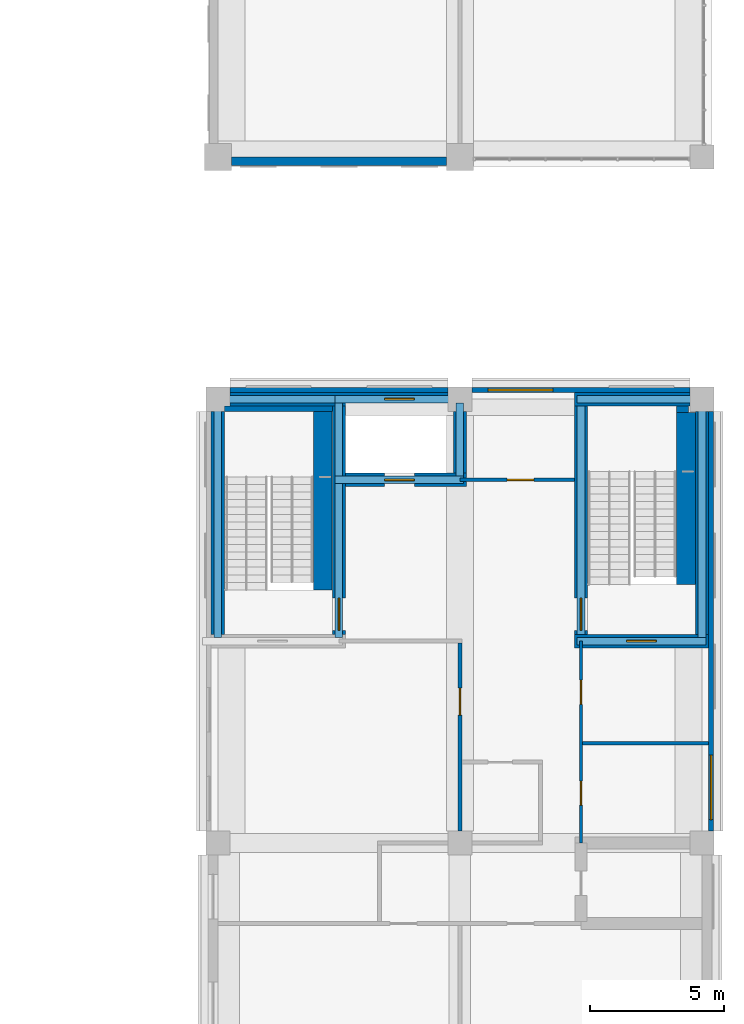
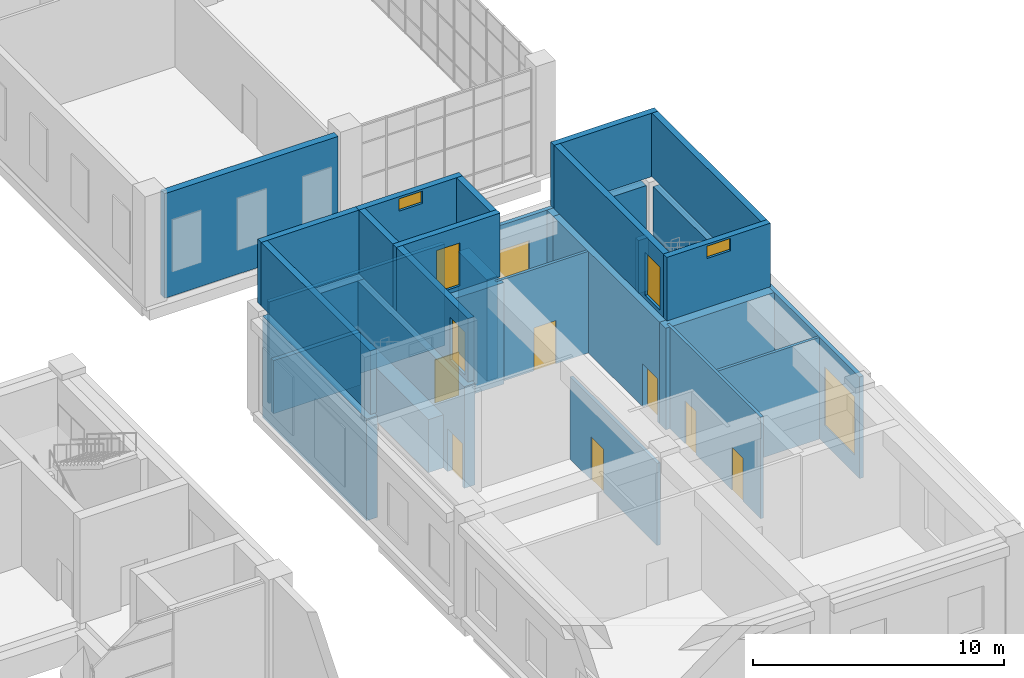
"""IFC4 building model written with IfcOpenShell, lengths in metres."""

from ifc_helpers import new_model, si_unit, direction, frame, frame_2d, origin, place, context, subcontext, project, spatial, rectangle, extrude, material, layer, layer_set, type_object, element, fill, save


model = new_model("IFC4")

# Units and contexts
model_context = context("Model", 3, precision=1e-05, world=origin(), true_north=direction((0.0, 1.0)))
body_context = subcontext(model_context, "Body", "Model", "MODEL_VIEW")
ifc_project = project(units=[si_unit("LENGTHUNIT", "METRE"), si_unit("AREAUNIT", "SQUARE_METRE"), si_unit("VOLUMEUNIT", "CUBIC_METRE"), si_unit("PLANEANGLEUNIT", "RADIAN"), si_unit("MASSUNIT", "GRAM", prefix="KILO")], contexts=[model_context])

# Site, building, storey
site_placement = place(None, origin())
site = spatial("IfcSite", under=ifc_project, at=site_placement, CompositionType="ELEMENT")
building_placement = place(site_placement, origin())
building = spatial("IfcBuilding", under=site, at=building_placement, Name="Aurelan Courthouse", CompositionType="ELEMENT")
storey_1_placement = place(building_placement, frame((0.0, 0.0, 6.60009765625)))
storey_1 = spatial("IfcBuildingStorey", under=building, at=storey_1_placement, Name="L01", CompositionType="ELEMENT", Elevation=6.60009765625)

# Wall, opening
ifc_material_1 = material(Name="Concrete C40", Category="concrete")
ifc_layer_1 = layer(ifc_material_1, 0.280029296875)
ifc_layer_set_1 = layer_set([ifc_layer_1], Name="Concrete C40")
wall_type_1 = type_object("IfcWallType", Name="Head house wall 280 x 3100", PredefinedType="SOLIDWALL", material=ifc_layer_set_1)
wall_1_placement = place(storey_1_placement, frame((76.360107421875, 25.5, 5.201904296875), z_axis=(0.0, 0.0, 1.0), x_axis=(1.0, 0.0, 0.0)))
wall_1 = element("IfcWall", 1, at=wall_1_placement, inside=storey_1, type_object=wall_type_1, Name="Head house wall HH-CORE-4-S", PredefinedType="SOLIDWALL", context=body_context, shape_type="SweptSolid", body=[
    extrude(rectangle(XDim=4.77978515625, YDim=0.280029296875, at=frame_2d((2.389892578125, 0.0))), origin(), (0.0, 0.0, 1.0), 3.10009765625),
])
opening_1_placement = place(wall_1_placement, frame((1.840087890625, 0.0, 0.197998046875)))
opening_1 = element("IfcOpeningElement", 2, at=opening_1_placement, cuts=wall_1, Name="Opening LD-V4-A1-L02", PredefinedType="OPENING", context=body_context, shape_type="SweptSolid", body=[
    extrude(rectangle(XDim=1.10009765625, YDim=2.10009765625, at=frame_2d((0.550048828125, 1.050048828125))), frame((0.0, 0.14990234375, 0.0), z_axis=(0.0, -1.0, 0.0), x_axis=(1.0, 0.0, 0.0)), (0.0, 0.0, 1.0), 0.300048828125),
])

# Storey
storey_2_placement = place(building_placement, frame((0.0, 0.0, 12.0)))
storey_2 = spatial("IfcBuildingStorey", under=building, at=storey_2_placement, Name="L02", CompositionType="ELEMENT", Elevation=12.0)

# Door
ifc_material_2 = material(Name="Steel", Category="steel")
door_type_1 = type_object("IfcDoorType", Name="Lift landing door 1100 x 2100 FD90", OperationType="SLIDING_TO_LEFT", PredefinedType="DOOR", material=ifc_material_2)
door_1_placement = place(opening_1_placement, origin())
door_1 = element("IfcDoor", 3, at=door_1_placement, inside=storey_2, type_object=door_type_1, Name="Lift landing door LD-V4-A1-L02", OperationType="SLIDING_TO_LEFT", OverallHeight=2.10009765625, OverallWidth=1.10009765625, PredefinedType="DOOR", context=body_context, shape_type="SweptSolid", body=[
    extrude(rectangle(XDim=1.10009765625, YDim=2.10009765625, at=frame_2d((0.550048828125, 1.050048828125))), frame((0.0, 0.02490234375, 0.0), z_axis=(0.0, -1.0, 0.0), x_axis=(1.0, 0.0, 0.0)), (0.0, 0.0, 1.0), 0.050048828125),
])

fill(opening_1, door_1)

# Wall, opening, window
wall_2_placement = place(storey_1_placement, frame((76.360107421875, 28.5, 5.201904296875), z_axis=(0.0, 0.0, 1.0), x_axis=(1.0, 0.0, 0.0)))
wall_2 = element("IfcWall", 4, at=wall_2_placement, inside=storey_1, type_object=wall_type_1, Name="Head house wall HH-CORE-4-N", PredefinedType="SOLIDWALL", context=body_context, shape_type="SweptSolid", body=[
    extrude(rectangle(XDim=4.77978515625, YDim=0.280029296875, at=frame_2d((2.389892578125, 0.0))), origin(), (0.0, 0.0, 1.0), 3.10009765625),
])
opening_2_placement = place(wall_2_placement, frame((1.840087890625, 0.0, 2.39990234375)))
opening_2 = element("IfcOpeningElement", 5, at=opening_2_placement, cuts=wall_2, Name="Opening HL-CORE-4", PredefinedType="OPENING", context=body_context, shape_type="SweptSolid", body=[
    extrude(rectangle(XDim=1.10009765625, YDim=0.60009765625, at=frame_2d((0.550048828125, 0.300048828125))), frame((0.0, 0.14990234375, 0.0), z_axis=(0.0, -1.0, 0.0), x_axis=(1.0, 0.0, 0.0)), (0.0, 0.0, 1.0), 0.300048828125),
])
ifc_material_3 = material(Name="Bronze-finished aluminium louvre", Category="aluminium")
window_type_1 = type_object("IfcWindowType", Name="Head house louvre 1100 x 600", PartitioningType="SINGLE_PANEL", PredefinedType="WINDOW", material=ifc_material_3)
window_1_placement = place(opening_2_placement, origin())
window_1 = element("IfcWindow", 6, at=window_1_placement, inside=storey_1, type_object=window_type_1, Name="Head house louvre HL-CORE-4", OverallHeight=0.60009765625, OverallWidth=1.10009765625, PartitioningType="SINGLE_PANEL", PredefinedType="WINDOW", context=body_context, shape_type="SweptSolid", body=[
    extrude(rectangle(XDim=1.10009765625, YDim=0.60009765625, at=frame_2d((0.550048828125, 0.300048828125))), frame((0.0, 0.030029296875, 0.0), z_axis=(0.0, -1.0, 0.0), x_axis=(1.0, 0.0, 0.0)), (0.0, 0.0, 1.0), 0.06005859375),
])
fill(opening_2, window_1)

# Walls
for number, where, z_axis, x_axis, name in (
    (7, (76.5, 25.639892578125, 5.201904296875), (0.0, 0.0, 1.0), (0.0, 1.0, 0.0), "Head house wall HH-CORE-4-W"),
    (8, (81.0, 25.639892578125, 5.201904296875), (0.0, 0.0, 1.0), (0.0, 1.0, 0.0), "Head house wall HH-CORE-4-E"),
):
    element("IfcWall", number, at=place(storey_1_placement, frame(where, z_axis=z_axis, x_axis=x_axis)), inside=storey_1, type_object=wall_type_1, Name=name, PredefinedType="SOLIDWALL", context=body_context, shape_type="SweptSolid", body=[
        extrude(rectangle(XDim=2.72021484375, YDim=0.280029296875, at=frame_2d((1.360107421875, 0.0))), origin(), (0.0, 0.0, 1.0), 3.10009765625),
    ])
wall_3_placement = place(storey_1_placement, frame((71.860107421875, 28.5, 5.201904296875), z_axis=(0.0, 0.0, 1.0), x_axis=(1.0, 0.0, 0.0)))
element("IfcWall", 9, at=wall_3_placement, inside=storey_1, type_object=wall_type_1, Name="Head house wall HH-ST-4A-N", PredefinedType="SOLIDWALL", context=body_context, shape_type="SweptSolid", body=[
    extrude(rectangle(XDim=4.5, YDim=0.280029296875, at=frame_2d((2.25, 0.0))), origin(), (0.0, 0.0, 1.0), 3.10009765625),
])
wall_4_placement = place(storey_1_placement, frame((72.0, 19.639892578125, 5.201904296875), z_axis=(0.0, 0.0, 1.0), x_axis=(0.0, 1.0, 0.0)))
element("IfcWall", 10, at=wall_4_placement, inside=storey_1, type_object=wall_type_1, Name="Head house wall HH-ST-4A-W", PredefinedType="SOLIDWALL", context=body_context, shape_type="SweptSolid", body=[
    extrude(rectangle(XDim=8.72021484375, YDim=0.280029296875, at=frame_2d((4.360107421875, 0.0))), origin(), (0.0, 0.0, 1.0), 3.10009765625),
])

# Wall, opening, door
wall_5_placement = place(storey_1_placement, frame((76.5, 19.639892578125, 5.201904296875), z_axis=(0.0, 0.0, 1.0), x_axis=(0.0, 1.0, 0.0)))
wall_5 = element("IfcWall", 11, at=wall_5_placement, inside=storey_1, type_object=wall_type_1, Name="Head house wall HH-ST-4A-E", PredefinedType="SOLIDWALL", context=body_context, shape_type="SweptSolid", body=[
    extrude(rectangle(XDim=5.72021484375, YDim=0.280029296875, at=frame_2d((2.860107421875, 0.0))), origin(), (0.0, 0.0, 1.0), 3.10009765625),
])
opening_3_placement = place(wall_5_placement, frame((0.260009765625, 0.0, 0.197998046875)))
opening_3 = element("IfcOpeningElement", 12, at=opening_3_placement, cuts=wall_5, Name="Opening D-L02-047", PredefinedType="OPENING", context=body_context, shape_type="SweptSolid", body=[
    extrude(rectangle(XDim=1.199951171875, YDim=2.10009765625, at=frame_2d((0.60009765625, 1.050048828125))), frame((0.0, 0.14990234375, 0.0), z_axis=(0.0, -1.0, 0.0), x_axis=(1.0, 0.0, 0.0)), (0.0, 0.0, 1.0), 0.300048828125),
])
door_type_2 = type_object("IfcDoorType", Name="Single door 1200 x 2100 FD90", OperationType="SINGLE_SWING_LEFT", PredefinedType="DOOR", material=ifc_material_2)
door_2_placement = place(opening_3_placement, origin())
door_2 = element("IfcDoor", 13, at=door_2_placement, inside=storey_2, type_object=door_type_2, Name="Single door D-L02-047", OperationType="SINGLE_SWING_LEFT", OverallHeight=2.10009765625, OverallWidth=1.199951171875, PredefinedType="DOOR", context=body_context, shape_type="SweptSolid", body=[
    extrude(rectangle(XDim=1.199951171875, YDim=2.10009765625, at=frame_2d((0.60009765625, 1.050048828125))), frame((0.0, 0.02490234375, 0.0), z_axis=(0.0, -1.0, 0.0), x_axis=(1.0, 0.0, 0.0)), (0.0, 0.0, 1.0), 0.050048828125),
])
fill(opening_3, door_2)

# Wall, opening, window
wall_6_placement = place(storey_1_placement, frame((85.360107421875, 19.5, 5.201904296875), z_axis=(0.0, 0.0, 1.0), x_axis=(1.0, 0.0, 0.0)))
wall_6 = element("IfcWall", 14, at=wall_6_placement, inside=storey_1, type_object=wall_type_1, Name="Head house wall HH-ST-4B-S", PredefinedType="SOLIDWALL", context=body_context, shape_type="SweptSolid", body=[
    extrude(rectangle(XDim=4.77978515625, YDim=0.280029296875, at=frame_2d((2.389892578125, 0.0))), origin(), (0.0, 0.0, 1.0), 3.10009765625),
])
opening_4_placement = place(wall_6_placement, frame((1.840087890625, 0.0, 2.39990234375)))
opening_4 = element("IfcOpeningElement", 15, at=opening_4_placement, cuts=wall_6, Name="Opening HL-ST-4B", PredefinedType="OPENING", context=body_context, shape_type="SweptSolid", body=[
    extrude(rectangle(XDim=1.10009765625, YDim=0.60009765625, at=frame_2d((0.550048828125, 0.300048828125))), frame((0.0, 0.14990234375, 0.0), z_axis=(0.0, -1.0, 0.0), x_axis=(1.0, 0.0, 0.0)), (0.0, 0.0, 1.0), 0.300048828125),
])
window_2_placement = place(opening_4_placement, origin())
window_2 = element("IfcWindow", 16, at=window_2_placement, inside=storey_1, type_object=window_type_1, Name="Head house louvre HL-ST-4B", OverallHeight=0.60009765625, OverallWidth=1.10009765625, PartitioningType="SINGLE_PANEL", PredefinedType="WINDOW", context=body_context, shape_type="SweptSolid", body=[
    extrude(rectangle(XDim=1.10009765625, YDim=0.60009765625, at=frame_2d((0.550048828125, 0.300048828125))), frame((0.0, 0.030029296875, 0.0), z_axis=(0.0, -1.0, 0.0), x_axis=(1.0, 0.0, 0.0)), (0.0, 0.0, 1.0), 0.06005859375),
])
fill(opening_4, window_2)

# Wall
wall_7_placement = place(storey_1_placement, frame((85.360107421875, 28.5, 5.201904296875), z_axis=(0.0, 0.0, 1.0), x_axis=(1.0, 0.0, 0.0)))
element("IfcWall", 17, at=wall_7_placement, inside=storey_1, type_object=wall_type_1, Name="Head house wall HH-ST-4B-N", PredefinedType="SOLIDWALL", context=body_context, shape_type="SweptSolid", body=[
    extrude(rectangle(XDim=4.77978515625, YDim=0.280029296875, at=frame_2d((2.389892578125, 0.0))), origin(), (0.0, 0.0, 1.0), 3.10009765625),
])

# Wall, opening, door
wall_8_placement = place(storey_1_placement, frame((85.5, 19.639892578125, 5.201904296875), z_axis=(0.0, 0.0, 1.0), x_axis=(0.0, 1.0, 0.0)))
wall_8 = element("IfcWall", 18, at=wall_8_placement, inside=storey_1, type_object=wall_type_1, Name="Head house wall HH-ST-4B-W", PredefinedType="SOLIDWALL", context=body_context, shape_type="SweptSolid", body=[
    extrude(rectangle(XDim=8.72021484375, YDim=0.280029296875, at=frame_2d((4.360107421875, 0.0))), origin(), (0.0, 0.0, 1.0), 3.10009765625),
])
opening_5_placement = place(wall_8_placement, frame((1.4599609375, 0.0, 0.197998046875), z_axis=(0.0, 0.0, 1.0), x_axis=(-1.0, 0.0, 0.0)))
opening_5 = element("IfcOpeningElement", 19, at=opening_5_placement, cuts=wall_8, Name="Opening D-L02-048", PredefinedType="OPENING", context=body_context, shape_type="SweptSolid", body=[
    extrude(rectangle(XDim=1.199951171875, YDim=2.10009765625, at=frame_2d((0.60009765625, 1.050048828125))), frame((0.0, 0.14990234375, 0.0), z_axis=(0.0, -1.0, 0.0), x_axis=(1.0, 0.0, 0.0)), (0.0, 0.0, 1.0), 0.300048828125),
])
door_3_placement = place(opening_5_placement, origin())
door_3 = element("IfcDoor", 20, at=door_3_placement, inside=storey_2, type_object=door_type_2, Name="Single door D-L02-048", OperationType="SINGLE_SWING_RIGHT", OverallHeight=2.10009765625, OverallWidth=1.199951171875, PredefinedType="DOOR", context=body_context, shape_type="SweptSolid", body=[
    extrude(rectangle(XDim=1.199951171875, YDim=2.10009765625, at=frame_2d((0.60009765625, 1.050048828125))), frame((0.0, 0.02490234375, 0.0), z_axis=(0.0, -1.0, 0.0), x_axis=(1.0, 0.0, 0.0)), (0.0, 0.0, 1.0), 0.050048828125),
])
fill(opening_5, door_3)

# Walls
wall_9_placement = place(storey_1_placement, frame((90.0, 19.639892578125, 5.201904296875), z_axis=(0.0, 0.0, 1.0), x_axis=(0.0, 1.0, 0.0)))
element("IfcWall", 21, at=wall_9_placement, inside=storey_1, type_object=wall_type_1, Name="Head house wall HH-ST-4B-E", PredefinedType="SOLIDWALL", context=body_context, shape_type="SweptSolid", body=[
    extrude(rectangle(XDim=8.72021484375, YDim=0.280029296875, at=frame_2d((4.360107421875, 0.0))), origin(), (0.0, 0.0, 1.0), 3.10009765625),
])
ifc_material_4 = material(Name="Granite cladding", Category="masonry")
ifc_layer_2 = layer(ifc_material_4, 0.090087890625, Name="Facing")
ifc_material_5 = material(Name="Ventilated cavity")
ifc_layer_3 = layer(ifc_material_5, 0.02490234375, ventilated=True, Name="Ventilated cavity")
ifc_material_6 = material(Name="Mineral wool insulation")
ifc_layer_4 = layer(ifc_material_6, 0.044921875, Name="Insulation")
ifc_material_7 = material(Name="Concrete C30", Category="concrete")
ifc_layer_5 = layer(ifc_material_7, 0.159912109375, Name="Structure")
ifc_layer_set_2 = layer_set([ifc_layer_2, ifc_layer_3, ifc_layer_4, ifc_layer_5], Name="Concrete C30")
wall_type_2 = type_object("IfcWallType", Name="Law Library granite-faced wall 320", PredefinedType="SOLIDWALL", material=ifc_layer_set_2)
wall_10_placement = place(storey_1_placement, frame((72.5, 37.340087890625, 0.0), z_axis=(0.0, 0.0, 1.0), x_axis=(1.0, 0.0, 0.0)))
element("IfcWall", 22, at=wall_10_placement, inside=storey_1, type_object=wall_type_2, Name="Facade wall FW-V3-L01-001", PredefinedType="SOLIDWALL", context=body_context, shape_type="SweptSolid", body=[
    extrude(rectangle(XDim=8.0, YDim=0.320068359375, at=frame_2d((4.0, 0.0))), origin(), (0.0, 0.0, 1.0), 5.099853515625),
])

# Wall, opening, door
ifc_material_8 = material(Name="Gypsum board on metal studs")
ifc_layer_6 = layer(ifc_material_8, 0.14990234375)
ifc_layer_set_3 = layer_set([ifc_layer_6], Name="Gypsum board on metal studs")
wall_type_3 = type_object("IfcWallType", Name="Partition 150 NOT RATED", PredefinedType="PARTITIONING", material=ifc_layer_set_3)
wall_11_placement = place(storey_1_placement, frame((81.0, 12.449951171875, 0.0), z_axis=(0.0, 0.0, 1.0), x_axis=(0.0, 1.0, 0.0)))
wall_11 = element("IfcWall", 23, at=wall_11_placement, inside=storey_1, type_object=wall_type_3, Name="Partition L01-104", PredefinedType="PARTITIONING", context=body_context, shape_type="SweptSolid", body=[
    extrude(rectangle(XDim=6.97509765625, YDim=0.14990234375, at=frame_2d((3.487548828125, 0.0))), origin(), (0.0, 0.0, 1.0), 4.001953125),
])
opening_6_placement = place(wall_11_placement, frame((5.300048828125, 0.0, 0.0), z_axis=(0.0, 0.0, 1.0), x_axis=(-1.0, 0.0, 0.0)))
opening_6 = element("IfcOpeningElement", 24, at=opening_6_placement, cuts=wall_11, Name="Opening D-L01-056", PredefinedType="OPENING", context=body_context, shape_type="SweptSolid", body=[
    extrude(rectangle(XDim=1.0, YDim=2.10009765625, at=frame_2d((0.5, 1.050048828125))), frame((0.0, 0.0849609375, 0.0), z_axis=(0.0, -1.0, 0.0), x_axis=(1.0, 0.0, 0.0)), (0.0, 0.0, 1.0), 0.169921875),
])
ifc_material_9 = material(Name="Timber", Category="wood")
door_type_3 = type_object("IfcDoorType", Name="Single door 1000 x 2100 NOT RATED", OperationType="SINGLE_SWING_LEFT", PredefinedType="DOOR", material=ifc_material_9)
door_4_placement = place(opening_6_placement, origin())
door_4 = element("IfcDoor", 25, at=door_4_placement, inside=storey_1, type_object=door_type_3, Name="Single door D-L01-056", OperationType="SINGLE_SWING_RIGHT", OverallHeight=2.10009765625, OverallWidth=1.0, PredefinedType="DOOR", context=body_context, shape_type="SweptSolid", body=[
    extrude(rectangle(XDim=1.0, YDim=2.10009765625, at=frame_2d((0.5, 1.050048828125))), frame((0.0, 0.02490234375, 0.0), z_axis=(0.0, -1.0, 0.0), x_axis=(1.0, 0.0, 0.0)), (0.0, 0.0, 1.0), 0.050048828125),
])
fill(opening_6, door_4)

# Wall
ifc_material_10 = material(Name="Limestone cladding", Category="masonry")
ifc_layer_7 = layer(ifc_material_10, 0.050048828125, Name="Facing")
ifc_layer_8 = layer(ifc_material_5, 0.02490234375, ventilated=True, Name="Ventilated cavity")
ifc_layer_9 = layer(ifc_material_6, 0.02490234375, Name="Insulation")
ifc_layer_10 = layer(ifc_material_7, 0.080078125, Name="Structure")
ifc_layer_set_4 = layer_set([ifc_layer_7, ifc_layer_8, ifc_layer_9, ifc_layer_10], Name="Concrete C30")
wall_type_4 = type_object("IfcWallType", Name="Public Hall and Registry stone-faced wall 180", PredefinedType="SOLIDWALL", material=ifc_layer_set_4)
wall_12_placement = place(storey_1_placement, frame((72.449951171875, 28.840087890625, 0.0), z_axis=(0.0, 0.0, 1.0), x_axis=(1.0, 0.0, 0.0)))
element("IfcWall", 26, at=wall_12_placement, inside=storey_1, type_object=wall_type_4, Name="Facade wall FW-V4-L01-003", PredefinedType="SOLIDWALL", context=body_context, shape_type="SweptSolid", body=[
    extrude(rectangle(XDim=8.10009765625, YDim=0.179931640625, at=frame_2d((4.050048828125, 0.0))), origin(), (0.0, 0.0, 1.0), 4.951904296875),
])

# Wall, opening, window
wall_13_placement = place(storey_1_placement, frame((81.449951171875, 28.840087890625, 0.0), z_axis=(0.0, 0.0, 1.0), x_axis=(1.0, 0.0, 0.0)))
wall_13 = element("IfcWall", 27, at=wall_13_placement, inside=storey_1, type_object=wall_type_4, Name="Facade wall FW-V4-L01-004", PredefinedType="SOLIDWALL", context=body_context, shape_type="SweptSolid", body=[
    extrude(rectangle(XDim=8.10009765625, YDim=0.179931640625, at=frame_2d((4.050048828125, 0.0))), origin(), (0.0, 0.0, 1.0), 4.951904296875),
])
opening_7_placement = place(wall_13_placement, frame((0.60009765625, 0.0, 0.89990234375)))
opening_7 = element("IfcOpeningElement", 28, at=opening_7_placement, cuts=wall_13, Name="Opening WN-V4-L01-005", PredefinedType="OPENING", context=body_context, shape_type="SweptSolid", body=[
    extrude(rectangle(XDim=2.39990234375, YDim=2.85009765625, at=frame_2d((1.199951171875, 1.425048828125))), frame((0.0, 0.099853515625, 0.0), z_axis=(0.0, -1.0, 0.0), x_axis=(1.0, 0.0, 0.0)), (0.0, 0.0, 1.0), 0.199951171875),
])
ifc_material_11 = material(Name="Bronze-finished aluminium and glass", Category="aluminium")
window_type_2 = type_object("IfcWindowType", Name="Public Hall and Registry window 2400 x 2850, sill 900", PartitioningType="SINGLE_PANEL", PredefinedType="WINDOW", material=ifc_material_11)
window_3_placement = place(opening_7_placement, origin())
window_3 = element("IfcWindow", 29, at=window_3_placement, inside=storey_1, type_object=window_type_2, Name="Window WN-V4-L01-005", OverallHeight=2.85009765625, OverallWidth=2.39990234375, PartitioningType="SINGLE_PANEL", PredefinedType="WINDOW", context=body_context, shape_type="SweptSolid", body=[
    extrude(rectangle(XDim=2.39990234375, YDim=2.85009765625, at=frame_2d((1.199951171875, 1.425048828125))), frame((0.0, 0.030029296875, 0.0), z_axis=(0.0, -1.0, 0.0), x_axis=(1.0, 0.0, 0.0)), (0.0, 0.0, 1.0), 0.06005859375),
])
fill(opening_7, window_3)

wall_14_placement = place(storey_1_placement, frame((90.340087890625, 12.449951171875, 0.0), z_axis=(0.0, 0.0, 1.0), x_axis=(0.0, 1.0, 0.0)))
wall_14 = element("IfcWall", 30, at=wall_14_placement, inside=storey_1, type_object=wall_type_4, Name="Facade wall FW-V4-L01-006", PredefinedType="SOLIDWALL", context=body_context, shape_type="SweptSolid", body=[
    extrude(rectangle(XDim=15.60009765625, YDim=0.179931640625, at=frame_2d((7.800048828125, 0.0))), origin(), (0.0, 0.0, 1.0), 4.951904296875),
])
opening_8_placement = place(wall_14_placement, frame((0.41259765625, 0.0, 0.89990234375)))
opening_8 = element("IfcOpeningElement", 31, at=opening_8_placement, cuts=wall_14, Name="Opening WN-V4-L01-008", PredefinedType="OPENING", context=body_context, shape_type="SweptSolid", body=[
    extrude(rectangle(XDim=2.39990234375, YDim=2.85009765625, at=frame_2d((1.199951171875, 1.425048828125))), frame((0.0, 0.099853515625, 0.0), z_axis=(0.0, -1.0, 0.0), x_axis=(1.0, 0.0, 0.0)), (0.0, 0.0, 1.0), 0.199951171875),
])
window_4_placement = place(opening_8_placement, origin())
window_4 = element("IfcWindow", 32, at=window_4_placement, inside=storey_1, type_object=window_type_2, Name="Window WN-V4-L01-008", OverallHeight=2.85009765625, OverallWidth=2.39990234375, PartitioningType="SINGLE_PANEL", PredefinedType="WINDOW", context=body_context, shape_type="SweptSolid", body=[
    extrude(rectangle(XDim=2.39990234375, YDim=2.85009765625, at=frame_2d((1.199951171875, 1.425048828125))), frame((0.0, 0.030029296875, 0.0), z_axis=(0.0, -1.0, 0.0), x_axis=(1.0, 0.0, 0.0)), (0.0, 0.0, 1.0), 0.06005859375),
])
fill(opening_8, window_4)

# Walls
ifc_material_12 = material(Name="Concrete C50", Category="concrete")
ifc_layer_11 = layer(ifc_material_12, 0.5)
ifc_layer_set_5 = layer_set([ifc_layer_11], Name="Concrete C50")
wall_type_5 = type_object("IfcWallType", Name="RC shear wall 500", PredefinedType="SHEAR", material=ifc_layer_set_5)
wall_15_placement = place(storey_1_placement, frame((85.25, 19.5, 0.0), z_axis=(0.0, 0.0, 1.0), x_axis=(1.0, 0.0, 0.0)))
element("IfcWall", 33, at=wall_15_placement, inside=storey_1, type_object=wall_type_5, Name="Core wall SW-L01-010", PredefinedType="SHEAR", context=body_context, shape_type="SweptSolid", body=[
    extrude(rectangle(XDim=5.0, YDim=0.5, at=frame_2d((2.5, 0.0))), origin(), (0.0, 0.0, 1.0), 4.951904296875),
])
wall_16_placement = place(storey_1_placement, frame((72.0, 19.75, 0.0), z_axis=(0.0, 0.0, 1.0), x_axis=(0.0, 1.0, 0.0)))
element("IfcWall", 34, at=wall_16_placement, inside=storey_1, type_object=wall_type_5, Name="Core wall SW-L01-021", PredefinedType="SHEAR", context=body_context, shape_type="SweptSolid", body=[
    extrude(rectangle(XDim=8.300048828125, YDim=0.5, at=frame_2d((4.14990234375, 0.0))), origin(), (0.0, 0.0, 1.0), 4.951904296875),
])

# Wall, opening, door
wall_17_placement = place(storey_1_placement, frame((76.5, 19.75, 0.0), z_axis=(0.0, 0.0, 1.0), x_axis=(0.0, 1.0, 0.0)))
wall_17 = element("IfcWall", 35, at=wall_17_placement, inside=storey_1, type_object=wall_type_5, Name="Core wall SW-L01-022", PredefinedType="SHEAR", context=body_context, shape_type="SweptSolid", body=[
    extrude(rectangle(XDim=8.5, YDim=0.5, at=frame_2d((4.25, 0.0))), origin(), (0.0, 0.0, 1.0), 4.951904296875),
])
opening_9_placement = place(wall_17_placement, frame((0.14990234375, 0.0, 0.0)))
opening_9 = element("IfcOpeningElement", 36, at=opening_9_placement, cuts=wall_17, Name="Opening D-L01-062", PredefinedType="OPENING", context=body_context, shape_type="SweptSolid", body=[
    extrude(rectangle(XDim=1.199951171875, YDim=2.10009765625, at=frame_2d((0.60009765625, 1.050048828125))), frame((0.0, 0.260009765625, 0.0), z_axis=(0.0, -1.0, 0.0), x_axis=(1.0, 0.0, 0.0)), (0.0, 0.0, 1.0), 0.52001953125),
])
door_5_placement = place(opening_9_placement, origin())
door_5 = element("IfcDoor", 37, at=door_5_placement, inside=storey_1, type_object=door_type_2, Name="Single door D-L01-062", OperationType="SINGLE_SWING_LEFT", OverallHeight=2.10009765625, OverallWidth=1.199951171875, PredefinedType="DOOR", context=body_context, shape_type="SweptSolid", body=[
    extrude(rectangle(XDim=1.199951171875, YDim=2.10009765625, at=frame_2d((0.60009765625, 1.050048828125))), frame((0.0, 0.02490234375, 0.0), z_axis=(0.0, -1.0, 0.0), x_axis=(1.0, 0.0, 0.0)), (0.0, 0.0, 1.0), 0.050048828125),
])
fill(opening_9, door_5)

wall_18_placement = place(storey_1_placement, frame((85.5, 19.75, 0.0), z_axis=(0.0, 0.0, 1.0), x_axis=(0.0, 1.0, 0.0)))
wall_18 = element("IfcWall", 38, at=wall_18_placement, inside=storey_1, type_object=wall_type_5, Name="Core wall SW-L01-023", PredefinedType="SHEAR", context=body_context, shape_type="SweptSolid", body=[
    extrude(rectangle(XDim=8.5, YDim=0.5, at=frame_2d((4.25, 0.0))), origin(), (0.0, 0.0, 1.0), 4.951904296875),
])
opening_10_placement = place(wall_18_placement, frame((1.349853515625, 0.0, 0.0), z_axis=(0.0, 0.0, 1.0), x_axis=(-1.0, 0.0, 0.0)))
opening_10 = element("IfcOpeningElement", 39, at=opening_10_placement, cuts=wall_18, Name="Opening D-L01-063", PredefinedType="OPENING", context=body_context, shape_type="SweptSolid", body=[
    extrude(rectangle(XDim=1.199951171875, YDim=2.10009765625, at=frame_2d((0.60009765625, 1.050048828125))), frame((0.0, 0.260009765625, 0.0), z_axis=(0.0, -1.0, 0.0), x_axis=(1.0, 0.0, 0.0)), (0.0, 0.0, 1.0), 0.52001953125),
])
door_6_placement = place(opening_10_placement, origin())
door_6 = element("IfcDoor", 40, at=door_6_placement, inside=storey_1, type_object=door_type_2, Name="Single door D-L01-063", OperationType="SINGLE_SWING_RIGHT", OverallHeight=2.10009765625, OverallWidth=1.199951171875, PredefinedType="DOOR", context=body_context, shape_type="SweptSolid", body=[
    extrude(rectangle(XDim=1.199951171875, YDim=2.10009765625, at=frame_2d((0.60009765625, 1.050048828125))), frame((0.0, 0.02490234375, 0.0), z_axis=(0.0, -1.0, 0.0), x_axis=(1.0, 0.0, 0.0)), (0.0, 0.0, 1.0), 0.050048828125),
])
fill(opening_10, door_6)

# Wall
wall_19_placement = place(storey_1_placement, frame((90.0, 19.75, 0.0), z_axis=(0.0, 0.0, 1.0), x_axis=(0.0, 1.0, 0.0)))
element("IfcWall", 41, at=wall_19_placement, inside=storey_1, type_object=wall_type_5, Name="Core wall SW-L01-024", PredefinedType="SHEAR", context=body_context, shape_type="SweptSolid", body=[
    extrude(rectangle(XDim=8.300048828125, YDim=0.5, at=frame_2d((4.14990234375, 0.0))), origin(), (0.0, 0.0, 1.0), 4.951904296875),
])

# Wall, opening, door
wall_20_placement = place(storey_1_placement, frame((76.75, 25.5, 0.0), z_axis=(0.0, 0.0, 1.0), x_axis=(1.0, 0.0, 0.0)))
wall_20 = element("IfcWall", 42, at=wall_20_placement, inside=storey_1, type_object=wall_type_5, Name="Core wall SW-L01-029", PredefinedType="SHEAR", context=body_context, shape_type="SweptSolid", body=[
    extrude(rectangle(XDim=4.5, YDim=0.5, at=frame_2d((2.25, 0.0))), origin(), (0.0, 0.0, 1.0), 4.951904296875),
])
opening_11_placement = place(wall_20_placement, frame((1.449951171875, 0.0, 0.0)))
opening_11 = element("IfcOpeningElement", 43, at=opening_11_placement, cuts=wall_20, Name="Opening LD-V4-A1-L01", PredefinedType="OPENING", context=body_context, shape_type="SweptSolid", body=[
    extrude(rectangle(XDim=1.10009765625, YDim=2.10009765625, at=frame_2d((0.550048828125, 1.050048828125))), frame((0.0, 0.260009765625, 0.0), z_axis=(0.0, -1.0, 0.0), x_axis=(1.0, 0.0, 0.0)), (0.0, 0.0, 1.0), 0.52001953125),
])
door_7_placement = place(opening_11_placement, origin())
door_7 = element("IfcDoor", 44, at=door_7_placement, inside=storey_1, type_object=door_type_1, Name="Lift landing door LD-V4-A1-L01", OperationType="SLIDING_TO_LEFT", OverallHeight=2.10009765625, OverallWidth=1.10009765625, PredefinedType="DOOR", context=body_context, shape_type="SweptSolid", body=[
    extrude(rectangle(XDim=1.10009765625, YDim=2.10009765625, at=frame_2d((0.550048828125, 1.050048828125))), frame((0.0, 0.02490234375, 0.0), z_axis=(0.0, -1.0, 0.0), x_axis=(1.0, 0.0, 0.0)), (0.0, 0.0, 1.0), 0.050048828125),
])
fill(opening_11, door_7)

# Walls
wall_21_placement = place(storey_1_placement, frame((81.0, 25.75, 0.0), z_axis=(0.0, 0.0, 1.0), x_axis=(0.0, 1.0, 0.0)))
element("IfcWall", 45, at=wall_21_placement, inside=storey_1, type_object=wall_type_5, Name="Core wall SW-L01-030", PredefinedType="SHEAR", context=body_context, shape_type="SweptSolid", body=[
    extrude(rectangle(XDim=2.300048828125, YDim=0.5, at=frame_2d((1.14990234375, 0.0))), origin(), (0.0, 0.0, 1.0), 4.951904296875),
])
wall_22_placement = place(storey_1_placement, frame((72.449951171875, 28.5, 0.0), z_axis=(0.0, 0.0, 1.0), x_axis=(1.0, 0.0, 0.0)))
element("IfcWall", 46, at=wall_22_placement, inside=storey_1, type_object=wall_type_5, Name="Core wall SW-L01-036", PredefinedType="SHEAR", context=body_context, shape_type="SweptSolid", body=[
    extrude(rectangle(XDim=8.10009765625, YDim=0.5, at=frame_2d((4.050048828125, 0.0))), origin(), (0.0, 0.0, 1.0), 4.951904296875),
])
wall_23_placement = place(storey_1_placement, frame((85.25, 28.5, 0.0), z_axis=(0.0, 0.0, 1.0), x_axis=(1.0, 0.0, 0.0)))
element("IfcWall", 47, at=wall_23_placement, inside=storey_1, type_object=wall_type_5, Name="Core wall SW-L01-037", PredefinedType="SHEAR", context=body_context, shape_type="SweptSolid", body=[
    extrude(rectangle(XDim=4.300048828125, YDim=0.5, at=frame_2d((2.14990234375, 0.0))), origin(), (0.0, 0.0, 1.0), 4.951904296875),
])
ifc_layer_12 = layer(ifc_material_7, 0.199951171875)
ifc_layer_set_6 = layer_set([ifc_layer_12], Name="Concrete C30")
wall_type_6 = type_object("IfcWallType", Name="Stair well wall 200 EI 120 load-bearing", PredefinedType="SHEAR", material=ifc_layer_set_6)
wall_24_placement = place(storey_1_placement, frame((72.25, 28.14990234375, 0.0), z_axis=(0.0, 0.0, 1.0), x_axis=(1.0, 0.0, 0.0)))
element("IfcWall", 48, at=wall_24_placement, inside=storey_1, type_object=wall_type_6, Name="Stair well wall ST-4A-L01 C", PredefinedType="SHEAR", context=body_context, shape_type="SweptSolid", body=[
    extrude(rectangle(XDim=4.0, YDim=0.199951171875, at=frame_2d((2.0, 0.0))), origin(), (0.0, 0.0, 1.0), 2.5869140625),
])
ifc_layer_13 = layer(ifc_material_7, 0.449951171875)
ifc_layer_set_7 = layer_set([ifc_layer_13], Name="Concrete C30")
wall_type_7 = type_object("IfcWallType", Name="Stair well wall 450 EI 120 load-bearing", PredefinedType="SHEAR", material=ifc_layer_set_7)
wall_25_placement = place(storey_1_placement, frame((89.27490234375, 28.0, 0.0), z_axis=(0.0, 0.0, 1.0), x_axis=(0.0, 1.0, 0.0)))
element("IfcWall", 49, at=wall_25_placement, inside=storey_1, type_object=wall_type_7, Name="Stair well wall ST-4B-L01 B2", PredefinedType="SHEAR", context=body_context, shape_type="SweptSolid", body=[
    extrude(rectangle(XDim=0.25, YDim=0.449951171875, at=frame_2d((0.125, 0.0))), origin(), (0.0, 0.0, 1.0), 2.5869140625),
])
ifc_layer_14 = layer(ifc_material_7, 0.699951171875)
ifc_layer_set_8 = layer_set([ifc_layer_14], Name="Concrete C30")
wall_type_8 = type_object("IfcWallType", Name="Stair well wall 700 EI 120 load-bearing", PredefinedType="SHEAR", material=ifc_layer_set_8)
wall_26_placement = place(storey_1_placement, frame((75.89990234375, 21.409912109375, 0.0), z_axis=(0.0, 0.0, 1.0), x_axis=(0.0, 1.0, 0.0)))
element("IfcWall", 50, at=wall_26_placement, inside=storey_1, type_object=wall_type_8, Name="Stair well wall ST-4A-L01 B", PredefinedType="SHEAR", context=body_context, shape_type="SweptSolid", body=[
    extrude(rectangle(XDim=6.64013671875, YDim=0.699951171875, at=frame_2d((3.320068359375, 0.0))), origin(), (0.0, 0.0, 1.0), 2.5869140625),
])
wall_27_placement = place(storey_1_placement, frame((89.39990234375, 21.610107421875, 0.0), z_axis=(0.0, 0.0, 1.0), x_axis=(0.0, 1.0, 0.0)))
element("IfcWall", 51, at=wall_27_placement, inside=storey_1, type_object=wall_type_8, Name="Stair well wall ST-4B-L01 B", PredefinedType="SHEAR", context=body_context, shape_type="SweptSolid", body=[
    extrude(rectangle(XDim=6.389892578125, YDim=0.699951171875, at=frame_2d((3.19482421875, 0.0))), origin(), (0.0, 0.0, 1.0), 2.5869140625),
])
ifc_material_13 = material(Name="Moisture-resistant board on metal studs")
ifc_layer_15 = layer(ifc_material_13, 0.125)
ifc_layer_set_9 = layer_set([ifc_layer_15], Name="Moisture-resistant board on metal studs")
wall_type_9 = type_object("IfcWallType", Name="Wet-area partition 125 NOT RATED", PredefinedType="PARTITIONING", material=ifc_layer_set_9)
wall_28_placement = place(storey_1_placement, frame((85.5625, 15.699951171875, 0.0), z_axis=(0.0, 0.0, 1.0), x_axis=(1.0, 0.0, 0.0)))
element("IfcWall", 52, at=wall_28_placement, inside=storey_1, type_object=wall_type_9, Name="Wet-area partition L01-016", PredefinedType="PARTITIONING", context=body_context, shape_type="SweptSolid", body=[
    extrude(rectangle(XDim=4.6875, YDim=0.125, at=frame_2d((2.34375, 0.0))), origin(), (0.0, 0.0, 1.0), 4.951904296875),
])

# Wall, opening, door
wall_29_placement = place(storey_1_placement, frame((81.0, 25.5, 0.0), z_axis=(0.0, 0.0, 1.0), x_axis=(1.0, 0.0, 0.0)))
wall_29 = element("IfcWall", 53, at=wall_29_placement, inside=storey_1, type_object=wall_type_9, Name="Wet-area partition L01-026", PredefinedType="PARTITIONING", context=body_context, shape_type="SweptSolid", body=[
    extrude(rectangle(XDim=4.25, YDim=0.125, at=frame_2d((2.125, 0.0))), origin(), (0.0, 0.0, 1.0), 4.951904296875),
])
opening_12_placement = place(wall_29_placement, frame((2.75, 0.0, 0.0), z_axis=(0.0, 0.0, 1.0), x_axis=(-1.0, 0.0, 0.0)))
opening_12 = element("IfcOpeningElement", 54, at=opening_12_placement, cuts=wall_29, Name="Opening D-L01-060", PredefinedType="OPENING", context=body_context, shape_type="SweptSolid", body=[
    extrude(rectangle(XDim=1.0, YDim=2.10009765625, at=frame_2d((0.5, 1.050048828125))), frame((0.0, 0.072509765625, 0.0), z_axis=(0.0, -1.0, 0.0), x_axis=(1.0, 0.0, 0.0)), (0.0, 0.0, 1.0), 0.14501953125),
])
door_8_placement = place(opening_12_placement, origin())
door_8 = element("IfcDoor", 55, at=door_8_placement, inside=storey_1, type_object=door_type_3, Name="Single door D-L01-060", OperationType="SINGLE_SWING_LEFT", OverallHeight=2.10009765625, OverallWidth=1.0, PredefinedType="DOOR", context=body_context, shape_type="SweptSolid", body=[
    extrude(rectangle(XDim=1.0, YDim=2.10009765625, at=frame_2d((0.5, 1.050048828125))), frame((0.0, 0.02490234375, 0.0), z_axis=(0.0, -1.0, 0.0), x_axis=(1.0, 0.0, 0.0)), (0.0, 0.0, 1.0), 0.050048828125),
])
fill(opening_12, door_8)

# Wall, openings, doors
wall_30_placement = place(storey_1_placement, frame((85.5, 12.0, 0.0), z_axis=(0.0, 0.0, 1.0), x_axis=(0.0, 1.0, 0.0)))
wall_30 = element("IfcWall", 56, at=wall_30_placement, inside=storey_1, type_object=wall_type_9, Name="Wet-area partition L01-111", PredefinedType="PARTITIONING", context=body_context, shape_type="SweptSolid", body=[
    extrude(rectangle(XDim=7.5, YDim=0.125, at=frame_2d((3.75, 0.0))), origin(), (0.0, 0.0, 1.0), 4.951904296875),
])
opening_13_placement = place(wall_30_placement, frame((1.39990234375, 0.0, 0.0)))
opening_13 = element("IfcOpeningElement", 57, at=opening_13_placement, cuts=wall_30, Name="Opening D-L01-058", PredefinedType="OPENING", context=body_context, shape_type="SweptSolid", body=[
    extrude(rectangle(XDim=0.89990234375, YDim=2.10009765625, at=frame_2d((0.449951171875, 1.050048828125))), frame((0.0, 0.072509765625, 0.0), z_axis=(0.0, -1.0, 0.0), x_axis=(1.0, 0.0, 0.0)), (0.0, 0.0, 1.0), 0.14501953125),
])
opening_14_placement = place(wall_30_placement, frame((5.14990234375, 0.0, 0.0)))
opening_14 = element("IfcOpeningElement", 58, at=opening_14_placement, cuts=wall_30, Name="Opening D-L01-059", PredefinedType="OPENING", context=body_context, shape_type="SweptSolid", body=[
    extrude(rectangle(XDim=0.89990234375, YDim=2.10009765625, at=frame_2d((0.449951171875, 1.050048828125))), frame((0.0, 0.072509765625, 0.0), z_axis=(0.0, -1.0, 0.0), x_axis=(1.0, 0.0, 0.0)), (0.0, 0.0, 1.0), 0.14501953125),
])
door_type_4 = type_object("IfcDoorType", Name="Single door 900 x 2100 NOT RATED", OperationType="SINGLE_SWING_LEFT", PredefinedType="DOOR", material=ifc_material_9)
door_9_placement = place(opening_13_placement, origin())
door_9 = element("IfcDoor", 59, at=door_9_placement, inside=storey_1, type_object=door_type_4, Name="Single door D-L01-058", OperationType="SINGLE_SWING_RIGHT", OverallHeight=2.10009765625, OverallWidth=0.89990234375, PredefinedType="DOOR", context=body_context, shape_type="SweptSolid", body=[
    extrude(rectangle(XDim=0.89990234375, YDim=2.10009765625, at=frame_2d((0.449951171875, 1.050048828125))), frame((0.0, 0.02490234375, 0.0), z_axis=(0.0, -1.0, 0.0), x_axis=(1.0, 0.0, 0.0)), (0.0, 0.0, 1.0), 0.050048828125),
])
fill(opening_13, door_9)
door_10_placement = place(opening_14_placement, origin())
door_10 = element("IfcDoor", 60, at=door_10_placement, inside=storey_1, type_object=door_type_4, Name="Single door D-L01-059", OperationType="SINGLE_SWING_RIGHT", OverallHeight=2.10009765625, OverallWidth=0.89990234375, PredefinedType="DOOR", context=body_context, shape_type="SweptSolid", body=[
    extrude(rectangle(XDim=0.89990234375, YDim=2.10009765625, at=frame_2d((0.449951171875, 1.050048828125))), frame((0.0, 0.02490234375, 0.0), z_axis=(0.0, -1.0, 0.0), x_axis=(1.0, 0.0, 0.0)), (0.0, 0.0, 1.0), 0.050048828125),
])
fill(opening_14, door_10)

save(model, "model.ifc")
